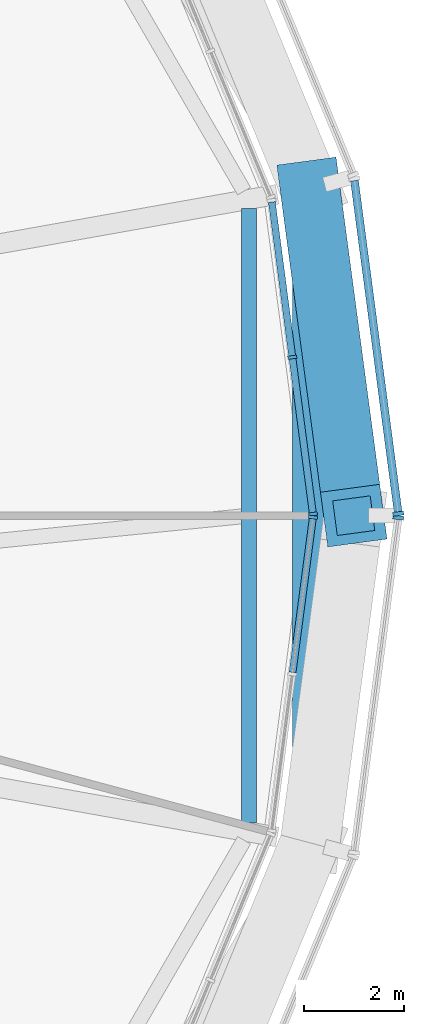
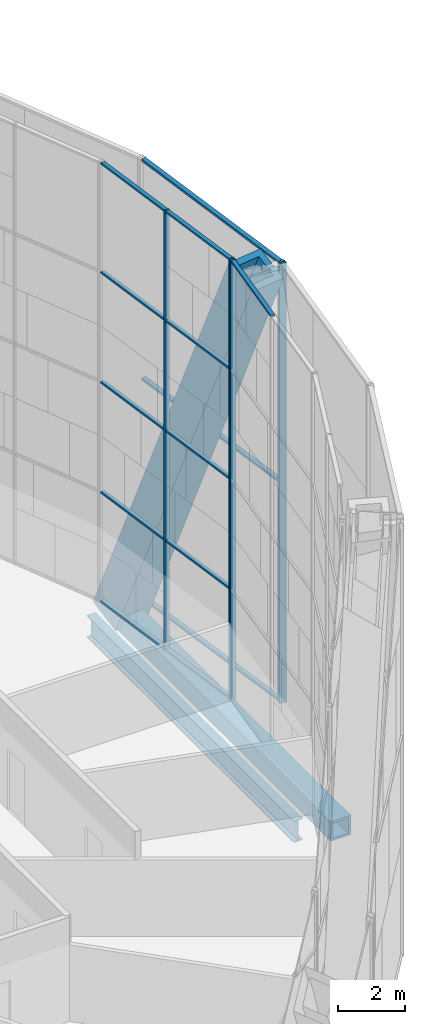
# One storey, part 7 of 30: 20 members, 2 beams, 4 elements without a shape of their own.
"""IFC4 building model written with IfcOpenShell, lengths in metres."""

from ifc_helpers import new_model, si_unit, direction, frame, origin, origin_2d, place, context, subcontext, project, spatial, rectangle, hollow_rectangle, i_section, extrude, material, material_profile, profile_set, type_object, element, aggregate, save


model = new_model("IFC4")

# Units and contexts
model_context = context("Model", 3, precision=1e-05, world=origin(), true_north=direction((0.0, 1.0)))
body_context = subcontext(model_context, "Body", "Model", "MODEL_VIEW")
ifc_project = project(units=[si_unit("LENGTHUNIT", "METRE"), si_unit("AREAUNIT", "SQUARE_METRE"), si_unit("VOLUMEUNIT", "CUBIC_METRE"), si_unit("PLANEANGLEUNIT", "RADIAN"), si_unit("MASSUNIT", "GRAM", prefix="KILO")], contexts=[model_context])

# Site, building, storey
site_placement = place(None, origin())
site = spatial("IfcSite", under=ifc_project, at=site_placement, CompositionType="ELEMENT")
building_placement = place(site_placement, origin())
building = spatial("IfcBuilding", under=site, at=building_placement, Name="Golbaran Civic Tower", CompositionType="ELEMENT")
storey_placement = place(building_placement, frame((0.0, 0.0, 102.0)))
storey = spatial("IfcBuildingStorey", under=building, at=storey_placement, Name="L24", CompositionType="ELEMENT", Elevation=102.0)

# Member
ifc_material_1 = material(Name="Steel S355", Category="steel")
ifc_material_profile_1 = material_profile(ifc_material_1, hollow_rectangle(XDim=1.199951171875, YDim=1.199951171875, WallThickness=0.219970703125, at=origin_2d()), Name="BOX 1200x1200x220")
ifc_profile_set_1 = profile_set([ifc_material_profile_1], Name="Steel S355")
member_type_1 = type_object("IfcMemberType", Name="DIAGRID DIAGONAL BOX 1200x1200x220", PredefinedType="BRACE", material=ifc_profile_set_1)
member_1_placement = place(storey_placement, frame((24.51611328125, 6.569091796875, -0.7099609375), z_axis=(0.050637494414, -0.379315997273, 0.923880521697), x_axis=(0.991206653617, 0.132322975426, 0.0)))
element("IfcMember", 1, at=member_1_placement, inside=storey, type_object=member_type_1, Name="Diagonal D05-00L L24-L28", PredefinedType="BRACE", context=body_context, shape_type="SweptSolid", body=[
    extrude(hollow_rectangle(XDim=1.199951171875, YDim=1.199951171875, WallThickness=0.219970703125, at=origin_2d()), origin(), (0.0, 0.0, 1.0), 17.318359375),
])

# Beams
ifc_material_profile_2 = material_profile(ifc_material_1, hollow_rectangle(XDim=0.699951171875, YDim=0.699951171875, WallThickness=0.080078125, at=origin_2d()), Name="BOX 700x700x80")
ifc_profile_set_2 = profile_set([ifc_material_profile_2], Name="Steel S355")
beam_type_1 = type_object("IfcBeamType", Name="DIAGRID RING TIE BOX 700x700x80", PredefinedType="BEAM", material=ifc_profile_set_2)
beam_1_placement = place(storey_placement, frame((24.51611328125, -6.569091796875, -0.7099609375), z_axis=(0.0, 1.0, 0.0), x_axis=(-1.0, 0.0, 0.0)))
element("IfcBeam", 2, at=beam_1_placement, inside=storey, type_object=beam_type_1, Name="Ring tie 345.00 L24", PredefinedType="BEAM", context=body_context, shape_type="SweptSolid", body=[
    extrude(hollow_rectangle(XDim=0.699951171875, YDim=0.699951171875, WallThickness=0.080078125, at=origin_2d()), origin(), (0.0, 0.0, 1.0), 13.13818359375),
])
ifc_material_profile_3 = material_profile(ifc_material_1, i_section(OverallWidth=0.300048828125, OverallDepth=0.800048828125, WebThickness=0.017578125, FlangeThickness=0.032958984375, FilletRadius=0.030029296875, at=origin_2d()), Name="HEB 800")
ifc_profile_set_3 = profile_set([ifc_material_profile_3], Name="Steel S355")
beam_type_2 = type_object("IfcBeamType", Name="EDGE BEAM HEB 800", PredefinedType="BEAM", material=ifc_profile_set_3)
beam_2_placement = place(storey_placement, frame((23.287353515625, -6.16748046875, -0.60009765625), z_axis=(0.0, 1.0, 0.0), x_axis=(-1.0, 0.0, 0.0)))
element("IfcBeam", 3, at=beam_2_placement, inside=storey, type_object=beam_type_2, Name="Edge beam 345.00 L24", PredefinedType="BEAM", context=body_context, shape_type="SweptSolid", body=[
    extrude(i_section(OverallWidth=0.300048828125, OverallDepth=0.800048828125, WebThickness=0.017578125, FlangeThickness=0.032958984375, FilletRadius=0.030029296875, at=origin_2d()), origin(), (0.0, 0.0, 1.0), 12.3349609375),
])

# Curtain wall, members
ifc_material_2 = material(Name="Aluminium and glass", Category="aluminium")
curtain_wall_type_1 = type_object("IfcCurtainWallType", Name="INNER SKIN CURTAIN WALL", PredefinedType="NOTDEFINED", material=ifc_material_2)
curtain_wall_1_placement = place(storey_placement, origin())
curtain_wall_1 = element("IfcCurtainWall", 4, at=curtain_wall_1_placement, inside=storey, type_object=curtain_wall_type_1, Name="Inner skin L24 facet 1 CW1", ObjectType="INNER SKIN", PredefinedType="USERDEFINED")
ifc_material_3 = material(Name="Aluminium", Category="aluminium")
ifc_material_profile_4 = material_profile(ifc_material_3, rectangle(XDim=0.179931640625, YDim=0.06494140625, at=origin_2d()), Name="INNER SKIN CURTAIN WALL MULLION")
ifc_profile_set_4 = profile_set([ifc_material_profile_4], Name="Aluminium")
member_type_2 = type_object("IfcMemberType", Name="INNER SKIN CURTAIN WALL MULLION", PredefinedType="MULLION", material=ifc_profile_set_4)
member_2_placement = place(storey_placement, frame((24.57373046875, 0.0322265625, 0.0), z_axis=(0.0, 0.0, 1.0), x_axis=(-0.991444861385, -0.130526192134, 0.0)))
member_2 = element("IfcMember", 5, at=member_2_placement, type_object=member_type_2, Name="CW1 mullion 1", PredefinedType="MULLION", context=body_context, shape_type="SweptSolid", body=[
    extrude(rectangle(XDim=0.179931640625, YDim=0.06494140625, at=origin_2d()), origin(), (0.0, 0.0, 1.0), 16.0),
])
member_3_placement = place(storey_placement, frame((24.1591796875, 3.1806640625, 0.0), z_axis=(0.0, 0.0, 1.0), x_axis=(-0.991444861385, -0.130526192134, 0.0)))
member_3 = element("IfcMember", 6, at=member_3_placement, type_object=member_type_2, Name="CW1 mullion 2", PredefinedType="MULLION", context=body_context, shape_type="SweptSolid", body=[
    extrude(rectangle(XDim=0.179931640625, YDim=0.06494140625, at=origin_2d()), origin(), (0.0, 0.0, 1.0), 16.0),
])

# Curtain wall, member
curtain_wall_2_placement = place(storey_placement, origin())
curtain_wall_2 = element("IfcCurtainWall", 7, at=curtain_wall_2_placement, inside=storey, type_object=curtain_wall_type_1, Name="Inner skin L24 facet 24 CW1", ObjectType="INNER SKIN", PredefinedType="USERDEFINED")
member_4_placement = place(storey_placement, frame((24.57373046875, -0.0322265625, 0.0), z_axis=(0.0, 0.0, 1.0), x_axis=(-0.991444861385, 0.130526192134, 0.0)))
member_4 = element("IfcMember", 8, at=member_4_placement, type_object=member_type_2, Name="CW1 mullion 3", PredefinedType="MULLION", context=body_context, shape_type="SweptSolid", body=[
    extrude(rectangle(XDim=0.179931640625, YDim=0.06494140625, at=origin_2d()), origin(), (0.0, 0.0, 1.0), 16.0),
])

# Member
ifc_material_profile_5 = material_profile(ifc_material_3, rectangle(XDim=0.139892578125, YDim=0.06494140625, at=origin_2d()), Name="INNER SKIN CURTAIN WALL TRANSOM")
ifc_profile_set_5 = profile_set([ifc_material_profile_5], Name="Aluminium")
member_type_3 = type_object("IfcMemberType", Name="INNER SKIN CURTAIN WALL TRANSOM", PredefinedType="USERDEFINED", material=ifc_profile_set_5)
member_5_placement = place(storey_placement, frame((24.569580078125, 0.064453125, 0.032470703125), z_axis=(-0.130523542167, 0.991445210256, 0.0), x_axis=(-0.991445210256, -0.130523542167, 0.0)))
member_5 = element("IfcMember", 9, at=member_5_placement, type_object=member_type_3, Name="CW1 transom 1.1", ObjectType="TRANSOM", PredefinedType="USERDEFINED", context=body_context, shape_type="SweptSolid", body=[
    extrude(rectangle(XDim=0.139892578125, YDim=0.06494140625, at=origin_2d()), origin(), (0.0, 0.0, 1.0), 3.110595703125),
])

member_6_placement = place(storey_placement, frame((24.569580078125, 0.064453125, 4.0), z_axis=(-0.130523542167, 0.991445210256, 0.0), x_axis=(-0.991445210256, -0.130523542167, 0.0)))
member_6 = element("IfcMember", 10, at=member_6_placement, type_object=member_type_3, Name="CW1 transom 1.2", ObjectType="TRANSOM", PredefinedType="USERDEFINED", context=body_context, shape_type="SweptSolid", body=[
    extrude(rectangle(XDim=0.139892578125, YDim=0.06494140625, at=origin_2d()), origin(), (0.0, 0.0, 1.0), 3.110595703125),
])

member_7_placement = place(storey_placement, frame((24.569580078125, 0.064453125, 8.0), z_axis=(-0.130523542167, 0.991445210256, 0.0), x_axis=(-0.991445210256, -0.130523542167, 0.0)))
member_7 = element("IfcMember", 11, at=member_7_placement, type_object=member_type_3, Name="CW1 transom 1.3", ObjectType="TRANSOM", PredefinedType="USERDEFINED", context=body_context, shape_type="SweptSolid", body=[
    extrude(rectangle(XDim=0.139892578125, YDim=0.06494140625, at=origin_2d()), origin(), (0.0, 0.0, 1.0), 3.110595703125),
])

member_8_placement = place(storey_placement, frame((24.569580078125, 0.064453125, 12.0), z_axis=(-0.130523542167, 0.991445210256, 0.0), x_axis=(-0.991445210256, -0.130523542167, 0.0)))
member_8 = element("IfcMember", 12, at=member_8_placement, type_object=member_type_3, Name="CW1 transom 1.4", ObjectType="TRANSOM", PredefinedType="USERDEFINED", context=body_context, shape_type="SweptSolid", body=[
    extrude(rectangle(XDim=0.139892578125, YDim=0.06494140625, at=origin_2d()), origin(), (0.0, 0.0, 1.0), 3.110595703125),
])

member_9_placement = place(storey_placement, frame((24.569580078125, 0.064453125, 15.967529296875), z_axis=(-0.130523542167, 0.991445210256, 0.0), x_axis=(-0.991445210256, -0.130523542167, 0.0)))
member_9 = element("IfcMember", 13, at=member_9_placement, type_object=member_type_3, Name="CW1 transom 1.5", ObjectType="TRANSOM", PredefinedType="USERDEFINED", context=body_context, shape_type="SweptSolid", body=[
    extrude(rectangle(XDim=0.139892578125, YDim=0.06494140625, at=origin_2d()), origin(), (0.0, 0.0, 1.0), 3.110595703125),
])

member_10_placement = place(storey_placement, frame((24.155029296875, 3.212890625, 0.032470703125), z_axis=(-0.130523542167, 0.991445210256, 0.0), x_axis=(-0.991445210256, -0.130523542167, 0.0)))
member_10 = element("IfcMember", 14, at=member_10_placement, type_object=member_type_3, Name="CW1 transom 2.1", ObjectType="TRANSOM", PredefinedType="USERDEFINED", context=body_context, shape_type="SweptSolid", body=[
    extrude(rectangle(XDim=0.139892578125, YDim=0.06494140625, at=origin_2d()), origin(), (0.0, 0.0, 1.0), 3.110595703125),
])

member_11_placement = place(storey_placement, frame((24.155029296875, 3.212890625, 4.0), z_axis=(-0.130523542167, 0.991445210256, 0.0), x_axis=(-0.991445210256, -0.130523542167, 0.0)))
member_11 = element("IfcMember", 15, at=member_11_placement, type_object=member_type_3, Name="CW1 transom 2.2", ObjectType="TRANSOM", PredefinedType="USERDEFINED", context=body_context, shape_type="SweptSolid", body=[
    extrude(rectangle(XDim=0.139892578125, YDim=0.06494140625, at=origin_2d()), origin(), (0.0, 0.0, 1.0), 3.110595703125),
])

member_12_placement = place(storey_placement, frame((24.155029296875, 3.212890625, 8.0), z_axis=(-0.130523542167, 0.991445210256, 0.0), x_axis=(-0.991445210256, -0.130523542167, 0.0)))
member_12 = element("IfcMember", 16, at=member_12_placement, type_object=member_type_3, Name="CW1 transom 2.3", ObjectType="TRANSOM", PredefinedType="USERDEFINED", context=body_context, shape_type="SweptSolid", body=[
    extrude(rectangle(XDim=0.139892578125, YDim=0.06494140625, at=origin_2d()), origin(), (0.0, 0.0, 1.0), 3.110595703125),
])

member_13_placement = place(storey_placement, frame((24.155029296875, 3.212890625, 12.0), z_axis=(-0.130523542167, 0.991445210256, 0.0), x_axis=(-0.991445210256, -0.130523542167, 0.0)))
member_13 = element("IfcMember", 17, at=member_13_placement, type_object=member_type_3, Name="CW1 transom 2.4", ObjectType="TRANSOM", PredefinedType="USERDEFINED", context=body_context, shape_type="SweptSolid", body=[
    extrude(rectangle(XDim=0.139892578125, YDim=0.06494140625, at=origin_2d()), origin(), (0.0, 0.0, 1.0), 3.110595703125),
])

member_14_placement = place(storey_placement, frame((24.155029296875, 3.212890625, 15.967529296875), z_axis=(-0.130523542167, 0.991445210256, 0.0), x_axis=(-0.991445210256, -0.130523542167, 0.0)))
member_14 = element("IfcMember", 18, at=member_14_placement, type_object=member_type_3, Name="CW1 transom 2.5", ObjectType="TRANSOM", PredefinedType="USERDEFINED", context=body_context, shape_type="SweptSolid", body=[
    extrude(rectangle(XDim=0.139892578125, YDim=0.06494140625, at=origin_2d()), origin(), (0.0, 0.0, 1.0), 3.110595703125),
])

aggregate(curtain_wall_1, [member_2, member_3, member_5, member_6, member_7, member_8, member_9, member_10, member_11, member_12, member_13, member_14])

member_15_placement = place(storey_placement, frame((24.16357421875, -3.1484375, 15.967529296875), z_axis=(0.130523542167, 0.991445210256, 0.0), x_axis=(-0.991445210256, 0.130523542167, 0.0)))
member_15 = element("IfcMember", 19, at=member_15_placement, type_object=member_type_3, Name="CW1 transom 2.5", ObjectType="TRANSOM", PredefinedType="USERDEFINED", context=body_context, shape_type="SweptSolid", body=[
    extrude(rectangle(XDim=0.139892578125, YDim=0.06494140625, at=origin_2d()), origin(), (0.0, 0.0, 1.0), 3.110595703125),
])

aggregate(curtain_wall_2, [member_4, member_15])

# Curtain wall, member
curtain_wall_type_2 = type_object("IfcCurtainWallType", Name="OUTER SKIN TERRACOTTA SCREEN", PredefinedType="NOTDEFINED", material=ifc_material_2)
curtain_wall_3_placement = place(storey_placement, origin())
curtain_wall_3 = element("IfcCurtainWall", 20, at=curtain_wall_3_placement, inside=storey, type_object=curtain_wall_type_2, Name="Outer skin L24 facet 1 CW3", ObjectType="OUTER SKIN", PredefinedType="USERDEFINED")
ifc_material_profile_6 = material_profile(ifc_material_3, rectangle(XDim=0.219970703125, YDim=0.080078125, at=origin_2d()), Name="OUTER SKIN TERRACOTTA SCREEN MULLION")
ifc_profile_set_6 = profile_set([ifc_material_profile_6], Name="Aluminium")
member_type_4 = type_object("IfcMemberType", Name="OUTER SKIN TERRACOTTA SCREEN MULLION", PredefinedType="MULLION", material=ifc_profile_set_6)
member_16_placement = place(storey_placement, frame((26.287841796875, 0.03955078125, -0.7099609375), z_axis=(0.0, 0.0, 1.0), x_axis=(-0.991444861381, -0.130526192168, 0.0)))
member_16 = element("IfcMember", 21, at=member_16_placement, type_object=member_type_4, Name="CW3 mullion 1", PredefinedType="MULLION", context=body_context, shape_type="SweptSolid", body=[
    extrude(rectangle(XDim=0.219970703125, YDim=0.080078125, at=origin_2d()), origin(), (0.0, 0.0, 1.0), 16.0),
])

curtain_wall_4_placement = place(storey_placement, origin())
curtain_wall_4 = element("IfcCurtainWall", 22, at=curtain_wall_4_placement, inside=storey, type_object=curtain_wall_type_2, Name="Outer skin L24 facet 24 CW3", ObjectType="OUTER SKIN", PredefinedType="USERDEFINED")
member_17_placement = place(storey_placement, frame((26.287841796875, -0.03955078125, -0.7099609375), z_axis=(0.0, 0.0, 1.0), x_axis=(-0.991444861381, 0.130526192168, 0.0)))
member_17 = element("IfcMember", 23, at=member_17_placement, type_object=member_type_4, Name="CW3 mullion 2", PredefinedType="MULLION", context=body_context, shape_type="SweptSolid", body=[
    extrude(rectangle(XDim=0.219970703125, YDim=0.080078125, at=origin_2d()), origin(), (0.0, 0.0, 1.0), 16.0),
])
aggregate(curtain_wall_4, [member_17])

# Member
ifc_material_profile_7 = material_profile(ifc_material_3, rectangle(XDim=0.159912109375, YDim=0.080078125, at=origin_2d()), Name="OUTER SKIN TERRACOTTA SCREEN TRANSOM")
ifc_profile_set_7 = profile_set([ifc_material_profile_7], Name="Aluminium")
member_type_5 = type_object("IfcMemberType", Name="OUTER SKIN TERRACOTTA SCREEN TRANSOM", PredefinedType="USERDEFINED", material=ifc_profile_set_7)
member_18_placement = place(storey_placement, frame((26.282470703125, 0.079345703125, -0.669921875), z_axis=(-0.1305223406, 0.991445368442, 0.0), x_axis=(-0.991445368442, -0.1305223406, 0.0)))
member_18 = element("IfcMember", 24, at=member_18_placement, type_object=member_type_5, Name="CW3 transom 1.1", ObjectType="TRANSOM", PredefinedType="USERDEFINED", context=body_context, shape_type="SweptSolid", body=[
    extrude(rectangle(XDim=0.159912109375, YDim=0.080078125, at=origin_2d()), origin(), (0.0, 0.0, 1.0), 6.703857421875),
])

member_19_placement = place(storey_placement, frame((26.282470703125, 0.079345703125, 7.2900390625), z_axis=(-0.1305223406, 0.991445368442, 0.0), x_axis=(-0.991445368442, -0.1305223406, 0.0)))
member_19 = element("IfcMember", 25, at=member_19_placement, type_object=member_type_5, Name="CW3 transom 1.2", ObjectType="TRANSOM", PredefinedType="USERDEFINED", context=body_context, shape_type="SweptSolid", body=[
    extrude(rectangle(XDim=0.159912109375, YDim=0.080078125, at=origin_2d()), origin(), (0.0, 0.0, 1.0), 6.703857421875),
])

member_20_placement = place(storey_placement, frame((26.282470703125, 0.079345703125, 15.25), z_axis=(-0.1305223406, 0.991445368442, 0.0), x_axis=(-0.991445368442, -0.1305223406, 0.0)))
member_20 = element("IfcMember", 26, at=member_20_placement, type_object=member_type_5, Name="CW3 transom 1.3", ObjectType="TRANSOM", PredefinedType="USERDEFINED", context=body_context, shape_type="SweptSolid", body=[
    extrude(rectangle(XDim=0.159912109375, YDim=0.080078125, at=origin_2d()), origin(), (0.0, 0.0, 1.0), 6.703857421875),
])

aggregate(curtain_wall_3, [member_16, member_18, member_19, member_20])

save(model, "model.ifc")
